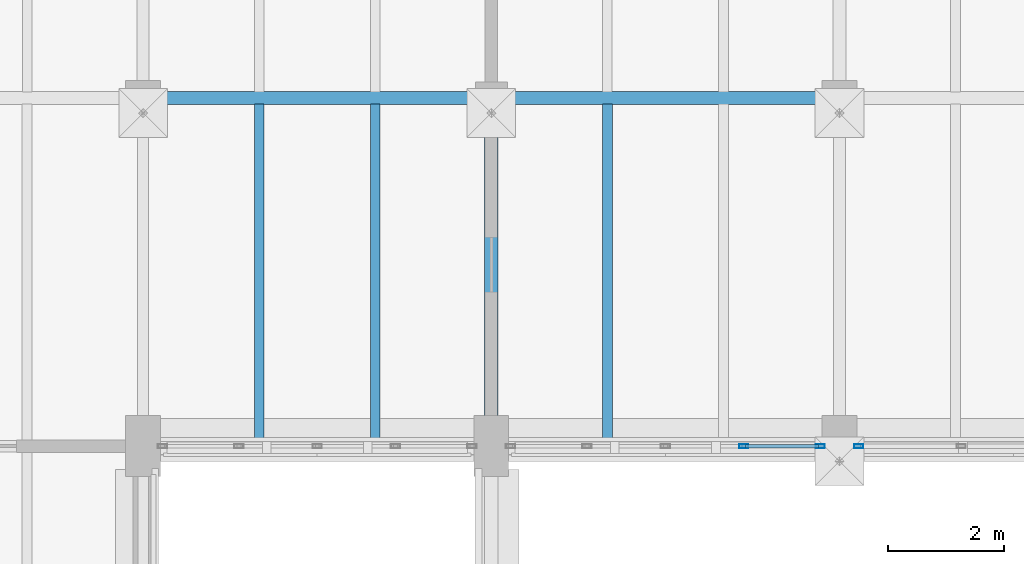
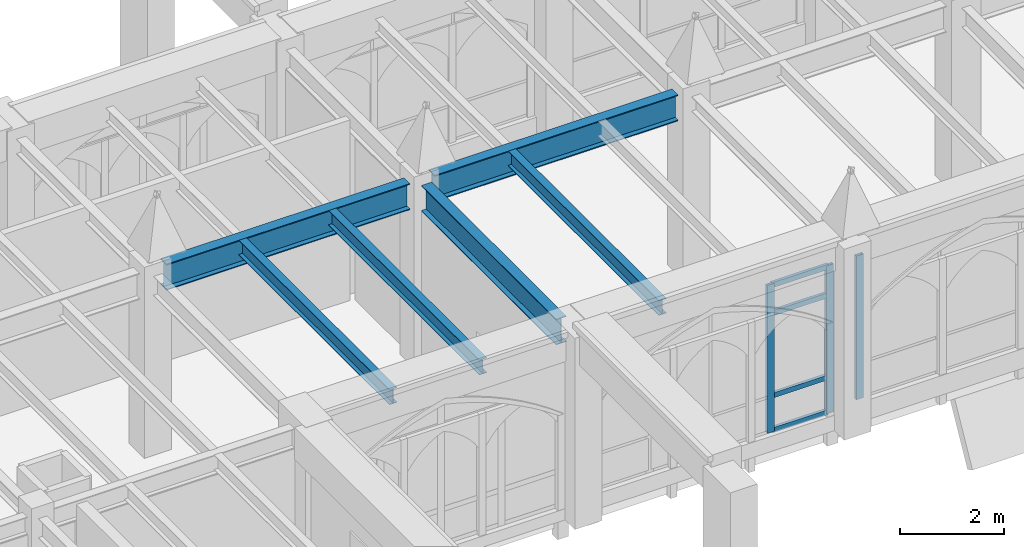
# One storey, part 53 of 143: 7 members, 6 beams, 2 elements without a shape of their own.
"""IFC4 building model written with IfcOpenShell, lengths in metres."""

import ifcopenshell
import ifcopenshell.guid

model = None  # the IFC model being written
_history = None  # IfcOwnerHistory: only IFC2X3 demands one
_inside = {}  # id of a spatial element -> (the spatial element, [elements in it])
_under = {}  # id of a project, library or spatial element -> (it, [spatial elements below it])
_declared = {}  # id of a project -> (the project, [libraries it declares])
_typed = {}  # id of a type object -> (the type object, [elements of that type])
_made_of = {}  # id of a material, layer set ... -> (it, [elements and type objects made of it])


def new_model(schema):
    """Start an empty IFC model of exactly this schema.

    Asked for "IFC4X3", IfcOpenShell would pick the latest addendum, in which some entities
    have other attributes; the version numbers below select the first issue.
    IFC2X3 requires an IfcOwnerHistory on every rooted entity: one is made here for all.
    """
    global model, _history
    if schema == "IFC4X3":
        model = ifcopenshell.file(schema_version=(4, 3, 0, 0))
    else:
        model = ifcopenshell.file(schema=schema)
    _inside.clear()
    _under.clear()
    _declared.clear()
    _typed.clear()
    _made_of.clear()
    _history = None
    if model.schema == "IFC2X3":
        org = make("IfcOrganization", Name="unknown")
        user = make(
            "IfcPersonAndOrganization",
            ThePerson=make("IfcPerson", FamilyName="unknown"),
            TheOrganization=org,
        )
        app = make(
            "IfcApplication",
            ApplicationDeveloper=org,
            Version="unknown",
            ApplicationFullName="unknown",
            ApplicationIdentifier="unknown",
        )
        _history = make(
            "IfcOwnerHistory",
            OwningUser=user,
            OwningApplication=app,
            ChangeAction="ADDED",
            CreationDate=0,
        )
    return model


def make(cls, **values):
    """One entity of the class cls with the attributes given. An attribute that is None is left unset."""
    return model.create_entity(
        cls, **{name: value for name, value in values.items() if value is not None}
    )


def rooted(cls, **values):
    """An entity with a GlobalId (a new one), such as an element, a storey or a relation."""
    return make(cls, GlobalId=ifcopenshell.guid.new(), OwnerHistory=_history, **values)


def si_unit(unit_type, name, prefix=None):
    """IfcSIUnit, for example si_unit("LENGTHUNIT", "METRE", prefix="MILLI")."""
    return make("IfcSIUnit", UnitType=unit_type, Prefix=prefix, Name=name)


def assignment(units):
    """IfcUnitAssignment: the units of a project."""
    return None if units is None else make("IfcUnitAssignment", Units=units)


def point(xyz):
    """IfcCartesianPoint."""
    return None if xyz is None else make("IfcCartesianPoint", Coordinates=xyz)


def direction(xyz):
    """IfcDirection."""
    return None if xyz is None else make("IfcDirection", DirectionRatios=xyz)


def frame(location, z_axis=None, x_axis=None):
    """IfcAxis2Placement3D, a coordinate frame: its origin and axes. An axis left out is left unset."""
    return make(
        "IfcAxis2Placement3D",
        Location=point(location),
        Axis=direction(z_axis),
        RefDirection=direction(x_axis),
    )


def frame_2d(location, x_axis=None):
    """IfcAxis2Placement2D, a coordinate frame in the plane: its origin and x axis."""
    return make(
        "IfcAxis2Placement2D", Location=point(location), RefDirection=direction(x_axis)
    )


def origin():
    """The frame at (0, 0, 0) with its axes left unset."""
    return frame((0.0, 0.0, 0.0))


def origin_2d():
    """The frame at (0, 0) in the plane with its x axis left unset."""
    return frame_2d((0.0, 0.0))


def place(relative_to, where):
    """IfcLocalPlacement: puts the frame where relative to a parent placement (None: the world)."""
    return make(
        "IfcLocalPlacement", PlacementRelTo=relative_to, RelativePlacement=where
    )


def context(
    kind, dimensions, precision=None, world=None, true_north=None, identifier=None
):
    """IfcGeometricRepresentationContext, for example the 3D "Model" context."""
    return make(
        "IfcGeometricRepresentationContext",
        ContextIdentifier=identifier,
        ContextType=kind,
        CoordinateSpaceDimension=dimensions,
        Precision=precision,
        WorldCoordinateSystem=world,
        TrueNorth=true_north,
    )


def subcontext(parent, identifier, kind, view, scale=None):
    """IfcGeometricRepresentationSubContext, for example "Body" below "Model"."""
    return make(
        "IfcGeometricRepresentationSubContext",
        ContextIdentifier=identifier,
        ContextType=kind,
        ParentContext=parent,
        TargetScale=scale,
        TargetView=view,
    )


def project(units=None, contexts=None):
    """IfcProject with its units and contexts."""
    return rooted(
        "IfcProject",
        Name="project",
        RepresentationContexts=contexts,
        UnitsInContext=assignment(units),
    )


def spatial(cls, under=None, at=None, **own):
    """A site, building, storey or space (cls), placed at a placement, below another one or the project."""
    s = rooted(cls, ObjectPlacement=at, **own)
    if under is not None:
        _under.setdefault(under.id(), (under, []))[1].append(s)
    return s


def profile(cls, at=None, kind="AREA", **sizes):
    """A parametric profile (cls). Its sizes go by their IFC names, for example OverallWidth=200.0."""
    return make(cls, ProfileType=kind, Position=at, **sizes)


def hollow_rectangle(**sizes):
    """IfcRectangleHollowProfileDef."""
    return profile("IfcRectangleHollowProfileDef", **sizes)


def i_section(**sizes):
    """IfcIShapeProfileDef."""
    return profile("IfcIShapeProfileDef", **sizes)


def extrude(swept, where, along, depth):
    """IfcExtrudedAreaSolid: the profile swept, set in the frame where, extruded along a direction by depth."""
    return make(
        "IfcExtrudedAreaSolid",
        SweptArea=swept,
        Position=where,
        ExtrudedDirection=direction(along),
        Depth=depth,
    )


def shape(context_of_items, identifier, shape_type, items):
    """IfcShapeRepresentation: the items that make up one representation, for example the "Body"."""
    return make(
        "IfcShapeRepresentation",
        ContextOfItems=context_of_items,
        RepresentationIdentifier=identifier,
        RepresentationType=shape_type,
        Items=items,
    )


def material(Name=None, Category=None):
    """IfcMaterial."""
    return make("IfcMaterial", Name=Name, Category=Category)


def layer(
    of_material, thickness, ventilated=None, Name=None, Category=None, Priority=None
):
    """IfcMaterialLayer: one layer of a wall or slab, of a material (None: an air gap)."""
    return make(
        "IfcMaterialLayer",
        Material=of_material,
        LayerThickness=thickness,
        IsVentilated=ventilated,
        Name=Name,
        Category=Category,
        Priority=Priority,
    )


def layer_set(layers, Name=None):
    """IfcMaterialLayerSet."""
    return make("IfcMaterialLayerSet", MaterialLayers=layers, LayerSetName=Name)


def material_profile(
    of_material, cross_section, Name=None, Category=None, Priority=None
):
    """IfcMaterialProfile: a cross section and its material."""
    return make(
        "IfcMaterialProfile",
        Name=Name,
        Material=of_material,
        Profile=cross_section,
        Priority=Priority,
        Category=Category,
    )


def profile_set(profiles, Name=None, composite=None):
    """IfcMaterialProfileSet."""
    return make(
        "IfcMaterialProfileSet",
        Name=Name,
        MaterialProfiles=profiles,
        CompositeProfile=composite,
    )


def made_of(thing, what):
    """Note that an element or type object is made of a material, layer set ...; save() writes the relation."""
    if what is not None:
        _made_of.setdefault(what.id(), (what, []))[1].append(thing)
    return thing


def type_object(cls, material=None, **own):
    """A type object (cls), such as IfcWallType, which elements share."""
    return made_of(rooted(cls, **own), material)


def element(
    cls,
    number,
    at=None,
    inside=None,
    cuts=None,
    type_object=None,
    material=None,
    context=None,
    identifier="Body",
    shape_type=None,
    held_by="IfcProductDefinitionShape",
    body=None,
    shapes=None,
    **own,
):
    """One element of the class cls, such as IfcWall. Its Tag is "e" and its number.

    at: its placement. inside: the storey or other place that contains it. cuts: it is an
    opening in that element (IfcRelVoidsElement). A single representation is given by context,
    identifier, shape_type and body (its items); several are given by shapes. held_by: the class
    of the entity that holds the representations. save() writes the other relations.
    """
    e = rooted(cls, Tag="e%d" % number, ObjectPlacement=at, **own)
    if body is not None:
        shapes = [shape(context, identifier, shape_type, body)]
    if shapes is not None:
        e.Representation = make(held_by, Representations=shapes)
    if inside is not None:
        _inside.setdefault(inside.id(), (inside, []))[1].append(e)
    if cuts is not None:
        rooted(
            "IfcRelVoidsElement", RelatingBuildingElement=cuts, RelatedOpeningElement=e
        )
    if type_object is not None:
        _typed.setdefault(type_object.id(), (type_object, []))[1].append(e)
    return made_of(e, material)


def aggregate(whole, parts):
    """IfcRelAggregates: a whole, such as a stair, and the parts it consists of."""
    return rooted("IfcRelAggregates", RelatingObject=whole, RelatedObjects=parts)


def save(model, path):
    """Write the relations noted so far, then the file.

    IfcRelAggregates (storeys below a building ...), IfcRelContainedInSpatialStructure (elements
    in a storey), IfcRelDefinesByType, IfcRelAssociatesMaterial and IfcRelDeclares: one each for
    every whole, place, type object, material and project.
    """
    for whole, parts in _under.values():
        aggregate(whole, parts)
    for where, things in _inside.values():
        rooted(
            "IfcRelContainedInSpatialStructure",
            RelatedElements=things,
            RelatingStructure=where,
        )
    for kind, things in _typed.values():
        rooted("IfcRelDefinesByType", RelatedObjects=things, RelatingType=kind)
    for what, things in _made_of.values():
        rooted("IfcRelAssociatesMaterial", RelatedObjects=things, RelatingMaterial=what)
    for by, libraries in _declared.values():
        rooted("IfcRelDeclares", RelatingContext=by, RelatedDefinitions=libraries)
    model.write(path)


model = new_model("IFC4")

# Units and contexts
model_context = context("Model", 3, precision=1e-05, world=origin(), true_north=direction((0.0, 1.0)))
body_context = subcontext(model_context, "Body", "Model", "MODEL_VIEW")
ifc_project = project(units=[si_unit("LENGTHUNIT", "METRE"), si_unit("AREAUNIT", "SQUARE_METRE"), si_unit("VOLUMEUNIT", "CUBIC_METRE"), si_unit("PLANEANGLEUNIT", "RADIAN"), si_unit("MASSUNIT", "GRAM", prefix="KILO")], contexts=[model_context])

# Site, building, storey
site_placement = place(None, origin())
site = spatial("IfcSite", under=ifc_project, at=site_placement, CompositionType="ELEMENT")
building_placement = place(site_placement, origin())
building = spatial("IfcBuilding", under=site, at=building_placement, Name="Cumevento Cable Car Station", CompositionType="ELEMENT")
storey_placement = place(building_placement, frame((0.0, 0.0, 9.0)))
storey = spatial("IfcBuildingStorey", under=building, at=storey_placement, Name="L03", CompositionType="ELEMENT", Elevation=9.0)

# Curtain wall, members
ifc_material_1 = material(Name="Anodised Bronze Aluminium AW-6063-T6", Category="aluminium")
ifc_layer_1 = layer(ifc_material_1, 0.23193359375)
ifc_layer_set_1 = layer_set([ifc_layer_1], Name="Anodised Bronze Aluminium AW-6063-T6")
curtain_wall_type_1 = type_object("IfcCurtainWallType", Name="Lancet Curtain Wall CW-13 1530", PredefinedType="NOTDEFINED", material=ifc_layer_set_1)
curtain_wall_1_placement = place(storey_placement, origin())
curtain_wall_1 = element("IfcCurtainWall", 1, at=curtain_wall_1_placement, inside=storey, type_object=curtain_wall_type_1, Name="Lancet Curtain Wall CW-13 L03 #108", PredefinedType="NOTDEFINED")
ifc_material_2 = material(Name="Anodised Bronze Aluminium AW-6063-T6", Category="aluminium")
ifc_material_profile_1 = material_profile(ifc_material_2, hollow_rectangle(XDim=0.06494140625, YDim=0.159912109375, WallThickness=0.00390625, at=origin_2d()), Name="ALUM65x160x4")
ifc_profile_set_1 = profile_set([ifc_material_profile_1], Name="Anodised Bronze Aluminium AW-6063-T6")
member_type_1 = type_object("IfcMemberType", Name="Curtain Mullion CWM-01 ALUM65x160x4", PredefinedType="MULLION", material=ifc_profile_set_1)
member_1_placement = place(storey_placement, frame((93.66748046875, 45.0, 0.360107421875), z_axis=(0.0, 0.0, 1.0), x_axis=(0.0, -1.0, 0.0)))
member_1 = element("IfcMember", 2, at=member_1_placement, type_object=member_type_1, Name="CW-13 mullion 1", PredefinedType="MULLION", context=body_context, shape_type="SweptSolid", body=[
    extrude(hollow_rectangle(XDim=0.06494140625, YDim=0.159912109375, WallThickness=0.00390625, at=origin_2d()), origin(), (0.0, 0.0, 1.0), 3.48486328125),
])
member_2_placement = place(storey_placement, frame((92.35009765625, 45.0, 0.360107421875), z_axis=(0.0, 0.0, 1.0), x_axis=(0.0, -1.0, 0.0)))
member_2 = element("IfcMember", 3, at=member_2_placement, type_object=member_type_1, Name="CW-13 mullion 2", PredefinedType="MULLION", context=body_context, shape_type="SweptSolid", body=[
    extrude(hollow_rectangle(XDim=0.06494140625, YDim=0.159912109375, WallThickness=0.00390625, at=origin_2d()), origin(), (0.0, 0.0, 1.0), 3.48486328125),
])

# Curtain wall, member
ifc_material_3 = material(Name="Anodised Bronze Aluminium AW-6063-T6", Category="aluminium")
ifc_layer_2 = layer(ifc_material_3, 0.243896484375)
ifc_layer_set_2 = layer_set([ifc_layer_2], Name="Anodised Bronze Aluminium AW-6063-T6")
curtain_wall_type_2 = type_object("IfcCurtainWallType", Name="Lancet Curtain Wall CW-15 1610", PredefinedType="NOTDEFINED", material=ifc_layer_set_2)
curtain_wall_2_placement = place(storey_placement, origin())
curtain_wall_2 = element("IfcCurtainWall", 4, at=curtain_wall_2_placement, inside=storey, type_object=curtain_wall_type_2, Name="Lancet Curtain Wall CW-15 L03 #110", PredefinedType="NOTDEFINED")
member_3_placement = place(storey_placement, frame((94.33251953125, 45.0, 0.4599609375), z_axis=(0.0, 0.0, 1.0), x_axis=(0.0, -1.0, 0.0)))
member_3 = element("IfcMember", 5, at=member_3_placement, type_object=member_type_1, Name="CW-15 mullion 4", PredefinedType="MULLION", context=body_context, shape_type="SweptSolid", body=[
    extrude(hollow_rectangle(XDim=0.06494140625, YDim=0.159912109375, WallThickness=0.00390625, at=origin_2d()), origin(), (0.0, 0.0, 1.0), 3.385009765625),
])
aggregate(curtain_wall_2, [member_3])

# Member
ifc_material_4 = material(Name="Anodised Bronze Aluminium AW-6063-T6", Category="aluminium")
ifc_material_profile_2 = material_profile(ifc_material_4, hollow_rectangle(XDim=0.06494140625, YDim=0.1201171875, WallThickness=0.00390625, at=origin_2d()), Name="ALUT65x120x4")
ifc_profile_set_2 = profile_set([ifc_material_profile_2], Name="Anodised Bronze Aluminium AW-6063-T6")
member_type_2 = type_object("IfcMemberType", Name="Curtain Transom CWT-01 ALUT65x120x4", PredefinedType="USERDEFINED", material=ifc_profile_set_2)
member_4_placement = place(storey_placement, frame((93.635009765625, 45.0, 0.392578125), z_axis=(-1.0, 0.0, 0.0), x_axis=(0.0, -1.0, 0.0)))
member_4 = element("IfcMember", 6, at=member_4_placement, type_object=member_type_2, Name="CW-13 transom 1.1", ObjectType="TRANSOM", PredefinedType="USERDEFINED", context=body_context, shape_type="SweptSolid", body=[
    extrude(hollow_rectangle(XDim=0.06494140625, YDim=0.1201171875, WallThickness=0.00390625, at=origin_2d()), origin(), (0.0, 0.0, 1.0), 1.25244140625),
])

member_5_placement = place(storey_placement, frame((93.635009765625, 45.0, 1.2099609375), z_axis=(-1.0, 0.0, 0.0), x_axis=(0.0, -1.0, 0.0)))
member_5 = element("IfcMember", 7, at=member_5_placement, type_object=member_type_2, Name="CW-13 transom 1.2", ObjectType="TRANSOM", PredefinedType="USERDEFINED", context=body_context, shape_type="SweptSolid", body=[
    extrude(hollow_rectangle(XDim=0.06494140625, YDim=0.1201171875, WallThickness=0.00390625, at=origin_2d()), origin(), (0.0, 0.0, 1.0), 1.25244140625),
])

member_6_placement = place(storey_placement, frame((93.635009765625, 45.0, 3.14501953125), z_axis=(-1.0, 0.0, 0.0), x_axis=(0.0, -1.0, 0.0)))
member_6 = element("IfcMember", 8, at=member_6_placement, type_object=member_type_2, Name="CW-13 transom 1.3", ObjectType="TRANSOM", PredefinedType="USERDEFINED", context=body_context, shape_type="SweptSolid", body=[
    extrude(hollow_rectangle(XDim=0.06494140625, YDim=0.1201171875, WallThickness=0.00390625, at=origin_2d()), origin(), (0.0, 0.0, 1.0), 1.25244140625),
])

member_7_placement = place(storey_placement, frame((93.635009765625, 45.0, 3.8125), z_axis=(-1.0, 0.0, 0.0), x_axis=(0.0, -1.0, 0.0)))
member_7 = element("IfcMember", 9, at=member_7_placement, type_object=member_type_2, Name="CW-13 transom 1.4", ObjectType="TRANSOM", PredefinedType="USERDEFINED", context=body_context, shape_type="SweptSolid", body=[
    extrude(hollow_rectangle(XDim=0.06494140625, YDim=0.1201171875, WallThickness=0.00390625, at=origin_2d()), origin(), (0.0, 0.0, 1.0), 1.25244140625),
])

aggregate(curtain_wall_1, [member_1, member_2, member_4, member_5, member_6, member_7])

# Beams
ifc_material_5 = material(Name="Steel ASTM A572 Grade 50", Category="steel")
ifc_material_profile_3 = material_profile(ifc_material_5, i_section(OverallWidth=0.22998046875, OverallDepth=0.616943359375, WebThickness=0.01318359375, FlangeThickness=0.022216796875, at=origin_2d()), Name="W610x140.0")
ifc_profile_set_3 = profile_set([ifc_material_profile_3], Name="Steel ASTM A572 Grade 50")
beam_type_1 = type_object("IfcBeamType", Name="Structural Beam BM-01 W610x140.0", PredefinedType="BEAM", material=ifc_profile_set_3)
for number, where, z_axis, x_axis, name in (
    (10, (82.300048828125, 51.0, 3.943603515625), (1.0, 0.0, 0.0), (0.0, 1.0, 0.0), "Beam BM-01 L03 #1070"),
    (11, (88.27490234375, 51.0, 3.943603515625), (1.0, 0.0, 0.0), (0.0, 1.0, 0.0), "Beam BM-01 L03 #1088"),
):
    element("IfcBeam", number, at=place(storey_placement, frame(where, z_axis=z_axis, x_axis=x_axis)), inside=storey, type_object=beam_type_1, Name=name, PredefinedType="BEAM", context=body_context, shape_type="SweptSolid", body=[
        extrude(i_section(OverallWidth=0.22998046875, OverallDepth=0.616943359375, WebThickness=0.01318359375, FlangeThickness=0.022216796875, at=origin_2d()), origin(), (0.0, 0.0, 1.0), 5.425048828125),
    ])
ifc_material_6 = material(Name="Steel ASTM A572 Grade 50", Category="steel")
ifc_material_profile_4 = material_profile(ifc_material_6, i_section(OverallWidth=0.22802734375, OverallDepth=0.60791015625, WebThickness=0.01123046875, FlangeThickness=0.017333984375, at=origin_2d()), Name="W610x113.0")
ifc_profile_set_4 = profile_set([ifc_material_profile_4], Name="Steel ASTM A572 Grade 50")
beam_type_2 = type_object("IfcBeamType", Name="Structural Beam BM-02 W610x113.0", PredefinedType="BEAM", material=ifc_profile_set_4)
beam_placement = place(storey_placement, frame((88.0, 45.52490234375, 3.947998046875), z_axis=(0.0, 1.0, 0.0), x_axis=(-1.0, 0.0, 0.0)))
element("IfcBeam", 12, at=beam_placement, inside=storey, type_object=beam_type_2, Name="Beam BM-02 L03 #1081", PredefinedType="BEAM", context=body_context, shape_type="SweptSolid", body=[
    extrude(i_section(OverallWidth=0.22802734375, OverallDepth=0.60791015625, WebThickness=0.01123046875, FlangeThickness=0.017333984375, at=origin_2d()), origin(), (0.0, 0.0, 1.0), 5.2001953125),
])
ifc_material_7 = material(Name="Steel ASTM A572 Grade 50", Category="steel")
ifc_material_profile_5 = material_profile(ifc_material_7, i_section(OverallWidth=0.1708984375, OverallDepth=0.35498046875, WebThickness=0.007080078125, FlangeThickness=0.01171875, at=origin_2d()), Name="W360x51.0")
ifc_profile_set_5 = profile_set([ifc_material_profile_5], Name="Steel ASTM A572 Grade 50")
beam_type_3 = type_object("IfcBeamType", Name="Structural Joist JS-01 W360x51.0", PredefinedType="JOIST", material=ifc_profile_set_5)
for number, where, z_axis, x_axis, name in (
    (13, (84.0, 45.076904296875, 4.074462890625), (0.0, 1.0, 0.0), (-1.0, 0.0, 0.0), "Composite Floor Joist JS-01 L03 #1260"),
    (14, (86.0, 45.076904296875, 4.074462890625), (0.0, 1.0, 0.0), (-1.0, 0.0, 0.0), "Composite Floor Joist JS-01 L03 #1262"),
    (15, (90.0, 45.076904296875, 4.074462890625), (0.0, 1.0, 0.0), (-1.0, 0.0, 0.0), "Composite Floor Joist JS-01 L03 #1264"),
):
    element("IfcBeam", number, at=place(storey_placement, frame(where, z_axis=z_axis, x_axis=x_axis)), inside=storey, type_object=beam_type_3, Name=name, PredefinedType="JOIST", context=body_context, shape_type="SweptSolid", body=[
        extrude(i_section(OverallWidth=0.1708984375, OverallDepth=0.35498046875, WebThickness=0.007080078125, FlangeThickness=0.01171875, at=origin_2d()), origin(), (0.0, 0.0, 1.0), 5.820068359375),
    ])

save(model, "model.ifc")
